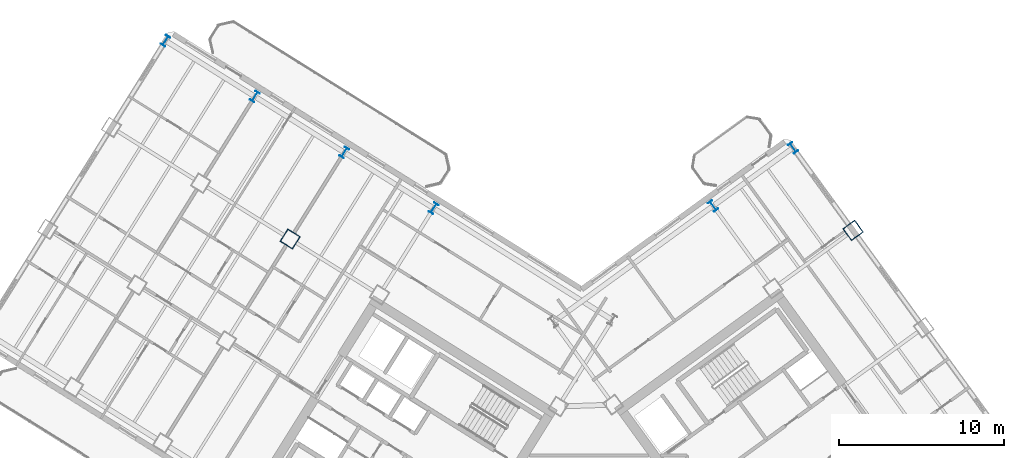
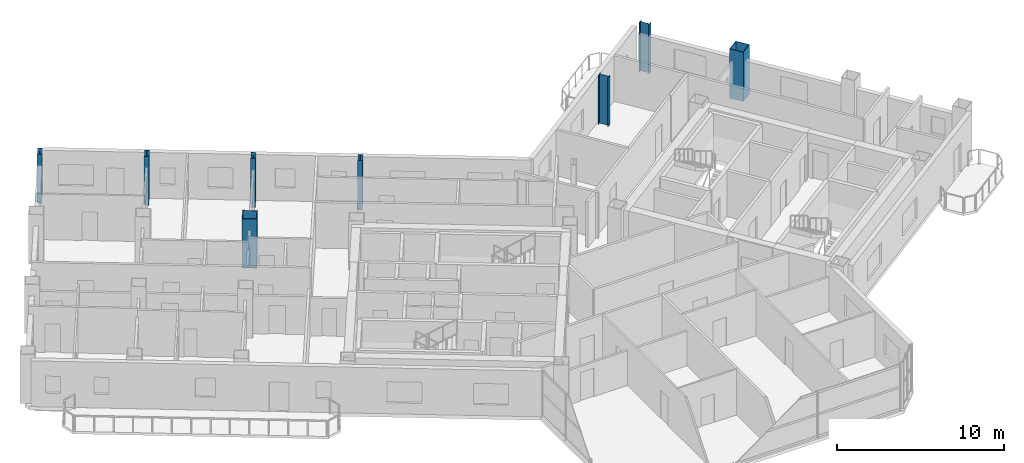
# One storey, part 3 of 20: 8 columns.
"""IFC4 building model written with IfcOpenShell, lengths in metres."""

from ifc_helpers import new_model, si_unit, direction, frame, origin, origin_2d, place, context, subcontext, project, spatial, hollow_rectangle, i_section, extrude, source, transform, mapped, material, material_profile, profile_set, type_object, element, save


model = new_model("IFC4")

# Units and contexts
model_context = context("Model", 3, precision=1e-05, world=origin(), true_north=direction((0.0, 1.0)))
body_context = subcontext(model_context, "Body", "Model", "MODEL_VIEW")
ifc_project = project(units=[si_unit("LENGTHUNIT", "METRE"), si_unit("AREAUNIT", "SQUARE_METRE"), si_unit("VOLUMEUNIT", "CUBIC_METRE"), si_unit("PLANEANGLEUNIT", "RADIAN"), si_unit("MASSUNIT", "GRAM", prefix="KILO")], contexts=[model_context])

# Site, building, storey
site_placement = place(None, origin())
site = spatial("IfcSite", under=ifc_project, at=site_placement, CompositionType="ELEMENT")
building_placement = place(site_placement, origin())
building = spatial("IfcBuilding", under=site, at=building_placement, Name="Tlacorven Tower", CompositionType="ELEMENT")
storey_placement = place(building_placement, frame((0.0, 0.0, 108.89990234375)))
storey = spatial("IfcBuildingStorey", under=building, at=storey_placement, Name="L27", CompositionType="ELEMENT", Elevation=108.89990234375)

# Columns
ifc_material = material(Name="Steel S460M", Category="steel")
ifc_material_profile_1 = material_profile(ifc_material, i_section(OverallWidth=0.300048828125, OverallDepth=0.64990234375, WebThickness=0.01611328125, FlangeThickness=0.031005859375, at=origin_2d()), Name="HEB 650")
ifc_profile_set_1 = profile_set([ifc_material_profile_1], Name="Steel S460M")
column_type_1 = type_object("IfcColumnType", Name="COL-TWR-P1", PredefinedType="COLUMN", material=ifc_profile_set_1)
shared_shape_1 = source(origin(), body_context, "Body", "SweptSolid", [
    extrude(i_section(OverallWidth=0.300048828125, OverallDepth=0.64990234375, WebThickness=0.01611328125, FlangeThickness=0.031005859375, at=origin_2d()), origin(), (0.0, 0.0, 1.0), 3.60009765625),
])
for number, where, z_axis, x_axis, name in (
    (1, (33.21337890625, 36.50927734375, 0.0), (0.0, 0.0, 1.0), (-0.848048096156, 0.529919264233, 0.0), "L27 column COL-L27-W3-1"),
    (2, (27.785888671875, 39.900634765625, 0.0), (0.0, 0.0, 1.0), (-0.848048096156, 0.529919264233, 0.0), "L27 column COL-L27-W4-1"),
    (3, (22.3583984375, 43.292236328125, 0.0), (0.0, 0.0, 1.0), (-0.848048096156, 0.529919264233, 0.0), "L27 column COL-L27-W5-1"),
    (4, (16.930908203125, 46.68359375, 0.0), (0.0, 0.0, 1.0), (-0.848048096156, 0.529919264233, 0.0), "L27 column COL-L27-W6-1"),
    (5, (50.187744140625, 36.654296875, 0.0), (0.0, 0.0, 1.0), (0.809016994375, 0.587785252292, 0.0), "L27 column COL-L27-E3-4"),
    (6, (55.041748046875, 40.18115234375, 0.0), (0.0, 0.0, 1.0), (0.809016994375, 0.587785252292, 0.0), "L27 column COL-L27-E4-4"),
):
    element("IfcColumn", number, at=place(storey_placement, frame(where, z_axis=z_axis, x_axis=x_axis)), inside=storey, type_object=column_type_1, Name=name, PredefinedType="COLUMN", context=body_context, shape_type="MappedRepresentation", body=[
        mapped(shared_shape_1, transform((0.0, 0.0, 0.0), scale=1.0)),
    ])
ifc_material_profile_2 = material_profile(ifc_material, hollow_rectangle(XDim=0.89990234375, YDim=0.89990234375, WallThickness=0.035888671875, at=origin_2d()), Name="BOX 900X900X36")
ifc_profile_set_2 = profile_set([ifc_material_profile_2], Name="Steel S460M")
column_type_2 = type_object("IfcColumnType", Name="COL-TWR-S2", PredefinedType="COLUMN", material=ifc_profile_set_2)
shared_shape_2 = source(origin(), body_context, "Body", "SweptSolid", [
    extrude(hollow_rectangle(XDim=0.89990234375, YDim=0.89990234375, WallThickness=0.035888671875, at=origin_2d()), origin(), (0.0, 0.0, 1.0), 3.60009765625),
])
for number, where, z_axis, x_axis, name in (
    (7, (24.50048828125, 34.642822265625, 0.0), (0.0, 0.0, 1.0), (-0.848048096156, 0.529919264233, 0.0), "L27 column COL-L27-W4-2"),
    (8, (58.68603515625, 35.165283203125, 0.0), (0.0, 0.0, 1.0), (0.809016994375, 0.587785252292, 0.0), "L27 column COL-L27-E4-3"),
):
    element("IfcColumn", number, at=place(storey_placement, frame(where, z_axis=z_axis, x_axis=x_axis)), inside=storey, type_object=column_type_2, Name=name, PredefinedType="COLUMN", context=body_context, shape_type="MappedRepresentation", body=[
        mapped(shared_shape_2, transform((0.0, 0.0, 0.0), scale=1.0)),
    ])

save(model, "model.ifc")
